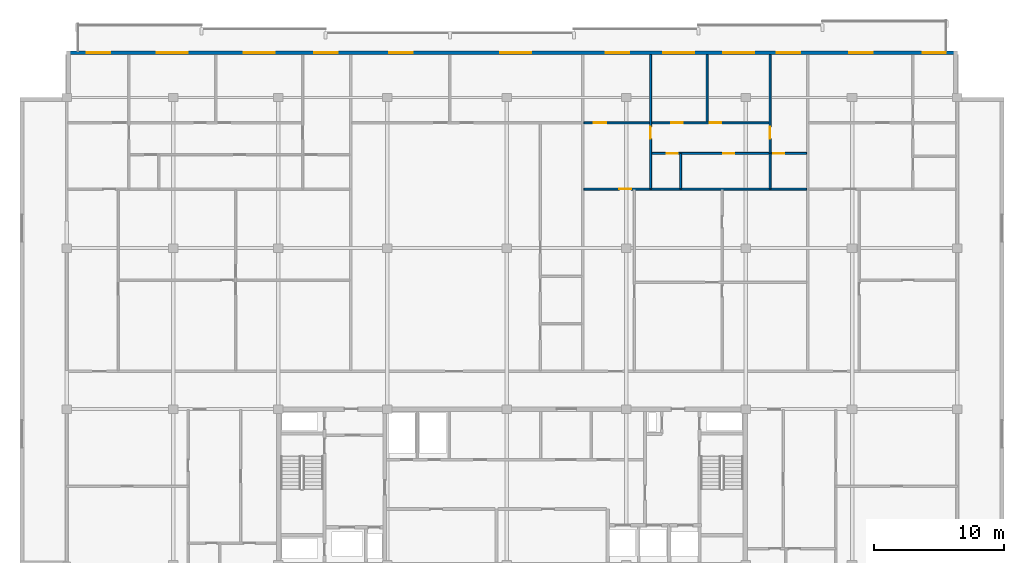
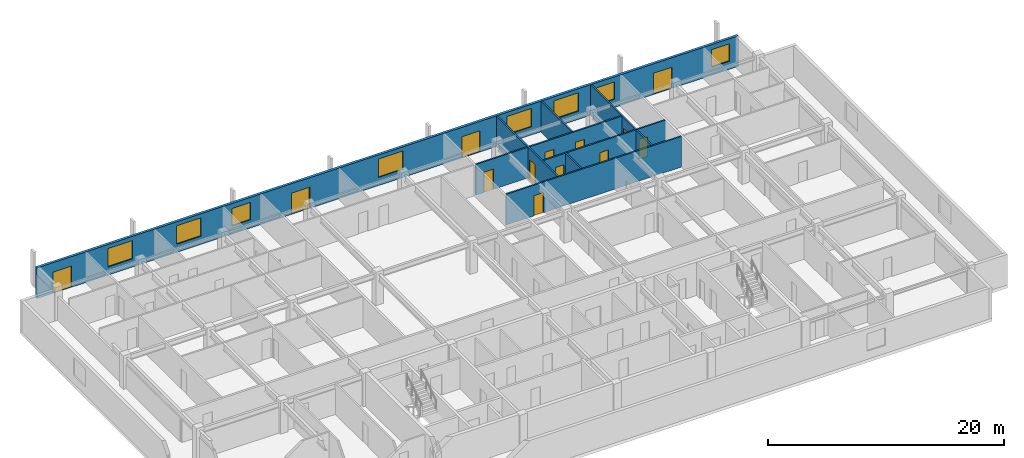
# One storey, part 7 of 10: 13 doors, 9 walls, 8 windows, 21 openings.
"""IFC4 building model written with IfcOpenShell, lengths in metres."""

from ifc_helpers import new_model, si_unit, direction, frame, frame_2d, origin, place, context, subcontext, project, spatial, rectangle, extrude, material, layer, layer_set, type_object, element, fill, save


model = new_model("IFC4")

# Units and contexts
model_context = context("Model", 3, precision=1e-05, world=origin(), true_north=direction((0.0, 1.0)))
body_context = subcontext(model_context, "Body", "Model", "MODEL_VIEW")
ifc_project = project(units=[si_unit("LENGTHUNIT", "METRE"), si_unit("AREAUNIT", "SQUARE_METRE"), si_unit("VOLUMEUNIT", "CUBIC_METRE"), si_unit("PLANEANGLEUNIT", "RADIAN"), si_unit("MASSUNIT", "GRAM", prefix="KILO")], contexts=[model_context])

# Site, building, storey
site_placement = place(None, origin())
site = spatial("IfcSite", under=ifc_project, at=site_placement, CompositionType="ELEMENT")
building_placement = place(site_placement, origin())
building = spatial("IfcBuilding", under=site, at=building_placement, Name="Korimba Cascade Residences", CompositionType="ELEMENT")
storey_placement = place(building_placement, frame((0.0, 0.0, 228.64990234375)))
storey = spatial("IfcBuildingStorey", under=building, at=storey_placement, Name="L66", CompositionType="ELEMENT", Elevation=228.64990234375)

# Wall, openings, doors, windows
ifc_material_1 = material(Name="Precast concrete C40/50", Category="concrete")
ifc_layer_1 = layer(ifc_material_1, 0.25)
ifc_layer_set_1 = layer_set([ifc_layer_1], Name="Precast concrete C40/50")
wall_type_1 = type_object("IfcWallType", Name="EW-LOG-250", PredefinedType="STANDARD", material=ifc_layer_set_1)
wall_1_placement = place(storey_placement, frame((128.39990234375, 94.64990234375, 0.0), z_axis=(0.0, 0.0, 1.0), x_axis=(-1.0, 0.0, 0.0)))
wall_1 = element("IfcWall", 1, at=wall_1_placement, inside=storey, type_object=wall_type_1, Name="L66 T1 Perimeter Stone Wall E06", PredefinedType="STANDARD", context=body_context, shape_type="SweptSolid", body=[
    extrude(rectangle(XDim=68.599853515625, YDim=0.25, at=frame_2d((34.2998046875, 0.0))), origin(), (0.0, 0.0, 1.0), 3.170166015625),
])
opening_1_placement = place(wall_1_placement, frame((59.262451171875, 0.0, 0.85009765625)))
opening_1 = element("IfcOpeningElement", 2, at=opening_1_placement, cuts=wall_1, Name="Opening W-01", PredefinedType="OPENING", context=body_context, shape_type="SweptSolid", body=[
    extrude(rectangle(XDim=2.39990234375, YDim=1.89990234375, at=frame_2d((1.199951171875, 0.949951171875))), frame((0.0, 0.135009765625, 0.0), z_axis=(0.0, -1.0, 0.0), x_axis=(1.0, 0.0, 0.0)), (0.0, 0.0, 1.0), 0.27001953125),
])
opening_2_placement = place(wall_1_placement, frame((52.5673828125, 0.0, 0.85009765625)))
opening_2 = element("IfcOpeningElement", 3, at=opening_2_placement, cuts=wall_1, Name="Opening W-01", PredefinedType="OPENING", context=body_context, shape_type="SweptSolid", body=[
    extrude(rectangle(XDim=2.39990234375, YDim=1.89990234375, at=frame_2d((1.199951171875, 0.949951171875))), frame((0.0, 0.135009765625, 0.0), z_axis=(0.0, -1.0, 0.0), x_axis=(1.0, 0.0, 0.0)), (0.0, 0.0, 1.0), 0.27001953125),
])
opening_3_placement = place(wall_1_placement, frame((65.2451171875, 0.0, 0.0)))
opening_3 = element("IfcOpeningElement", 4, at=opening_3_placement, cuts=wall_1, Name="Opening D-LG1", PredefinedType="OPENING", context=body_context, shape_type="SweptSolid", body=[
    extrude(rectangle(XDim=1.800048828125, YDim=2.199951171875, at=frame_2d((0.89990234375, 1.10009765625))), frame((0.0, 0.135009765625, 0.0), z_axis=(0.0, -1.0, 0.0), x_axis=(1.0, 0.0, 0.0)), (0.0, 0.0, 1.0), 0.27001953125),
])
opening_4_placement = place(wall_1_placement, frame((47.726318359375, 0.0, 0.85009765625)))
opening_4 = element("IfcOpeningElement", 5, at=opening_4_placement, cuts=wall_1, Name="Opening W-02", PredefinedType="OPENING", context=body_context, shape_type="SweptSolid", body=[
    extrude(rectangle(XDim=1.800048828125, YDim=1.800048828125, at=frame_2d((0.89990234375, 0.89990234375))), frame((0.0, 0.135009765625, 0.0), z_axis=(0.0, -1.0, 0.0), x_axis=(1.0, 0.0, 0.0)), (0.0, 0.0, 1.0), 0.27001953125),
])
opening_5_placement = place(wall_1_placement, frame((41.938232421875, 0.0, 0.0)))
opening_5 = element("IfcOpeningElement", 6, at=opening_5_placement, cuts=wall_1, Name="Opening D-LG1", PredefinedType="OPENING", context=body_context, shape_type="SweptSolid", body=[
    extrude(rectangle(XDim=1.800048828125, YDim=2.199951171875, at=frame_2d((0.89990234375, 1.10009765625))), frame((0.0, 0.135009765625, 0.0), z_axis=(0.0, -1.0, 0.0), x_axis=(1.0, 0.0, 0.0)), (0.0, 0.0, 1.0), 0.27001953125),
])
opening_6_placement = place(wall_1_placement, frame((32.823974609375, 0.0, 0.85009765625)))
opening_6 = element("IfcOpeningElement", 7, at=opening_6_placement, cuts=wall_1, Name="Opening W-01", PredefinedType="OPENING", context=body_context, shape_type="SweptSolid", body=[
    extrude(rectangle(XDim=2.39990234375, YDim=1.89990234375, at=frame_2d((1.199951171875, 0.949951171875))), frame((0.0, 0.135009765625, 0.0), z_axis=(0.0, -1.0, 0.0), x_axis=(1.0, 0.0, 0.0)), (0.0, 0.0, 1.0), 0.27001953125),
])
opening_7_placement = place(wall_1_placement, frame((20.2451171875, 0.0, 0.85009765625)))
opening_7 = element("IfcOpeningElement", 8, at=opening_7_placement, cuts=wall_1, Name="Opening W-01", PredefinedType="OPENING", context=body_context, shape_type="SweptSolid", body=[
    extrude(rectangle(XDim=2.39990234375, YDim=1.89990234375, at=frame_2d((1.199951171875, 0.949951171875))), frame((0.0, 0.135009765625, 0.0), z_axis=(0.0, -1.0, 0.0), x_axis=(1.0, 0.0, 0.0)), (0.0, 0.0, 1.0), 0.27001953125),
])
opening_8_placement = place(wall_1_placement, frame((15.64501953125, 0.0, 0.85009765625)))
opening_8 = element("IfcOpeningElement", 9, at=opening_8_placement, cuts=wall_1, Name="Opening W-01", PredefinedType="OPENING", context=body_context, shape_type="SweptSolid", body=[
    extrude(rectangle(XDim=2.39990234375, YDim=1.89990234375, at=frame_2d((1.199951171875, 0.949951171875))), frame((0.0, 0.135009765625, 0.0), z_axis=(0.0, -1.0, 0.0), x_axis=(1.0, 0.0, 0.0)), (0.0, 0.0, 1.0), 0.27001953125),
])
opening_9_placement = place(wall_1_placement, frame((25.272216796875, 0.0, 0.0)))
opening_9 = element("IfcOpeningElement", 10, at=opening_9_placement, cuts=wall_1, Name="Opening D-LG1", PredefinedType="OPENING", context=body_context, shape_type="SweptSolid", body=[
    extrude(rectangle(XDim=1.800048828125, YDim=2.199951171875, at=frame_2d((0.89990234375, 1.10009765625))), frame((0.0, 0.135009765625, 0.0), z_axis=(0.0, -1.0, 0.0), x_axis=(1.0, 0.0, 0.0)), (0.0, 0.0, 1.0), 0.27001953125),
])
opening_10_placement = place(wall_1_placement, frame((12.110107421875, 0.0, 0.85009765625)))
opening_10 = element("IfcOpeningElement", 11, at=opening_10_placement, cuts=wall_1, Name="Opening W-02", PredefinedType="OPENING", context=body_context, shape_type="SweptSolid", body=[
    extrude(rectangle(XDim=1.800048828125, YDim=1.800048828125, at=frame_2d((0.89990234375, 0.89990234375))), frame((0.0, 0.135009765625, 0.0), z_axis=(0.0, -1.0, 0.0), x_axis=(1.0, 0.0, 0.0)), (0.0, 0.0, 1.0), 0.27001953125),
])
opening_11_placement = place(wall_1_placement, frame((6.51513671875, 0.0, 0.0)))
opening_11 = element("IfcOpeningElement", 12, at=opening_11_placement, cuts=wall_1, Name="Opening D-LG1", PredefinedType="OPENING", context=body_context, shape_type="SweptSolid", body=[
    extrude(rectangle(XDim=1.800048828125, YDim=2.199951171875, at=frame_2d((0.89990234375, 1.10009765625))), frame((0.0, 0.135009765625, 0.0), z_axis=(0.0, -1.0, 0.0), x_axis=(1.0, 0.0, 0.0)), (0.0, 0.0, 1.0), 0.27001953125),
])
opening_12_placement = place(wall_1_placement, frame((0.8701171875, 0.0, 0.85009765625)))
opening_12 = element("IfcOpeningElement", 13, at=opening_12_placement, cuts=wall_1, Name="Opening W-02", PredefinedType="OPENING", context=body_context, shape_type="SweptSolid", body=[
    extrude(rectangle(XDim=1.800048828125, YDim=1.800048828125, at=frame_2d((0.89990234375, 0.89990234375))), frame((0.0, 0.135009765625, 0.0), z_axis=(0.0, -1.0, 0.0), x_axis=(1.0, 0.0, 0.0)), (0.0, 0.0, 1.0), 0.27001953125),
])
ifc_material_2 = material(Name="Glazed Aluminium Loggia Sliding Door", Category="aluminium")
door_type_1 = type_object("IfcDoorType", Name="DR-EXT-LOG", OperationType="NOTDEFINED", PredefinedType="DOOR", material=ifc_material_2)
door_1_placement = place(opening_3_placement, origin())
door_1 = element("IfcDoor", 14, at=door_1_placement, inside=storey, type_object=door_type_1, Name="L66 T1 Loggia Sliding Door 5", OperationType="SLIDING_TO_LEFT", OverallHeight=2.199951171875, OverallWidth=1.800048828125, PredefinedType="DOOR", context=body_context, shape_type="SweptSolid", body=[
    extrude(rectangle(XDim=1.800048828125, YDim=2.199951171875, at=frame_2d((0.89990234375, 1.10009765625))), frame((0.0, 0.02490234375, 0.0), z_axis=(0.0, -1.0, 0.0), x_axis=(1.0, 0.0, 0.0)), (0.0, 0.0, 1.0), 0.050048828125),
])
fill(opening_3, door_1)
door_2_placement = place(opening_5_placement, origin())
door_2 = element("IfcDoor", 15, at=door_2_placement, inside=storey, type_object=door_type_1, Name="L66 T1 Loggia Sliding Door 7", OperationType="SLIDING_TO_LEFT", OverallHeight=2.199951171875, OverallWidth=1.800048828125, PredefinedType="DOOR", context=body_context, shape_type="SweptSolid", body=[
    extrude(rectangle(XDim=1.800048828125, YDim=2.199951171875, at=frame_2d((0.89990234375, 1.10009765625))), frame((0.0, 0.02490234375, 0.0), z_axis=(0.0, -1.0, 0.0), x_axis=(1.0, 0.0, 0.0)), (0.0, 0.0, 1.0), 0.050048828125),
])
fill(opening_5, door_2)
door_3_placement = place(opening_9_placement, origin())
door_3 = element("IfcDoor", 16, at=door_3_placement, inside=storey, type_object=door_type_1, Name="L66 T1 Loggia Sliding Door 11", OperationType="SLIDING_TO_LEFT", OverallHeight=2.199951171875, OverallWidth=1.800048828125, PredefinedType="DOOR", context=body_context, shape_type="SweptSolid", body=[
    extrude(rectangle(XDim=1.800048828125, YDim=2.199951171875, at=frame_2d((0.89990234375, 1.10009765625))), frame((0.0, 0.02490234375, 0.0), z_axis=(0.0, -1.0, 0.0), x_axis=(1.0, 0.0, 0.0)), (0.0, 0.0, 1.0), 0.050048828125),
])
fill(opening_9, door_3)
door_4_placement = place(opening_11_placement, origin())
door_4 = element("IfcDoor", 17, at=door_4_placement, inside=storey, type_object=door_type_1, Name="L66 T1 Loggia Sliding Door 13", OperationType="SLIDING_TO_LEFT", OverallHeight=2.199951171875, OverallWidth=1.800048828125, PredefinedType="DOOR", context=body_context, shape_type="SweptSolid", body=[
    extrude(rectangle(XDim=1.800048828125, YDim=2.199951171875, at=frame_2d((0.89990234375, 1.10009765625))), frame((0.0, 0.02490234375, 0.0), z_axis=(0.0, -1.0, 0.0), x_axis=(1.0, 0.0, 0.0)), (0.0, 0.0, 1.0), 0.050048828125),
])
fill(opening_11, door_4)
ifc_material_3 = material(Name="Double-Glazed Aluminium Window", Category="aluminium")
window_type_1 = type_object("IfcWindowType", Name="WIN-BED-1800", PartitioningType="SINGLE_PANEL", PredefinedType="WINDOW", material=ifc_material_3)
window_1_placement = place(opening_4_placement, origin())
window_1 = element("IfcWindow", 18, at=window_1_placement, inside=storey, type_object=window_type_1, Name="L66 T1 North Facade Window 6", OverallHeight=1.800048828125, OverallWidth=1.800048828125, PartitioningType="SINGLE_PANEL", PredefinedType="WINDOW", context=body_context, shape_type="SweptSolid", body=[
    extrude(rectangle(XDim=1.800048828125, YDim=1.800048828125, at=frame_2d((0.89990234375, 0.89990234375))), frame((0.0, 0.030029296875, 0.0), z_axis=(0.0, -1.0, 0.0), x_axis=(1.0, 0.0, 0.0)), (0.0, 0.0, 1.0), 0.06005859375),
])
fill(opening_4, window_1)
window_2_placement = place(opening_10_placement, origin())
window_2 = element("IfcWindow", 19, at=window_2_placement, inside=storey, type_object=window_type_1, Name="L66 T1 North Facade Window 12", OverallHeight=1.800048828125, OverallWidth=1.800048828125, PartitioningType="SINGLE_PANEL", PredefinedType="WINDOW", context=body_context, shape_type="SweptSolid", body=[
    extrude(rectangle(XDim=1.800048828125, YDim=1.800048828125, at=frame_2d((0.89990234375, 0.89990234375))), frame((0.0, 0.030029296875, 0.0), z_axis=(0.0, -1.0, 0.0), x_axis=(1.0, 0.0, 0.0)), (0.0, 0.0, 1.0), 0.06005859375),
])
fill(opening_10, window_2)
window_3_placement = place(opening_12_placement, origin())
window_3 = element("IfcWindow", 20, at=window_3_placement, inside=storey, type_object=window_type_1, Name="L66 T1 North Facade Window 14", OverallHeight=1.800048828125, OverallWidth=1.800048828125, PartitioningType="SINGLE_PANEL", PredefinedType="WINDOW", context=body_context, shape_type="SweptSolid", body=[
    extrude(rectangle(XDim=1.800048828125, YDim=1.800048828125, at=frame_2d((0.89990234375, 0.89990234375))), frame((0.0, 0.030029296875, 0.0), z_axis=(0.0, -1.0, 0.0), x_axis=(1.0, 0.0, 0.0)), (0.0, 0.0, 1.0), 0.06005859375),
])
fill(opening_12, window_3)
window_type_2 = type_object("IfcWindowType", Name="WIN-RES-2400", PartitioningType="DOUBLE_PANEL_VERTICAL", PredefinedType="WINDOW", material=ifc_material_3)
window_4_placement = place(opening_1_placement, origin())
window_4 = element("IfcWindow", 21, at=window_4_placement, inside=storey, type_object=window_type_2, Name="L66 T1 North Facade Window 3", OverallHeight=1.89990234375, OverallWidth=2.39990234375, PartitioningType="DOUBLE_PANEL_VERTICAL", PredefinedType="WINDOW", context=body_context, shape_type="SweptSolid", body=[
    extrude(rectangle(XDim=2.39990234375, YDim=1.89990234375, at=frame_2d((1.199951171875, 0.949951171875))), frame((0.0, 0.030029296875, 0.0), z_axis=(0.0, -1.0, 0.0), x_axis=(1.0, 0.0, 0.0)), (0.0, 0.0, 1.0), 0.06005859375),
])
fill(opening_1, window_4)
window_5_placement = place(opening_2_placement, origin())
window_5 = element("IfcWindow", 22, at=window_5_placement, inside=storey, type_object=window_type_2, Name="L66 T1 North Facade Window 4", OverallHeight=1.89990234375, OverallWidth=2.39990234375, PartitioningType="DOUBLE_PANEL_VERTICAL", PredefinedType="WINDOW", context=body_context, shape_type="SweptSolid", body=[
    extrude(rectangle(XDim=2.39990234375, YDim=1.89990234375, at=frame_2d((1.199951171875, 0.949951171875))), frame((0.0, 0.030029296875, 0.0), z_axis=(0.0, -1.0, 0.0), x_axis=(1.0, 0.0, 0.0)), (0.0, 0.0, 1.0), 0.06005859375),
])
fill(opening_2, window_5)
window_6_placement = place(opening_6_placement, origin())
window_6 = element("IfcWindow", 23, at=window_6_placement, inside=storey, type_object=window_type_2, Name="L66 T1 North Facade Window 8", OverallHeight=1.89990234375, OverallWidth=2.39990234375, PartitioningType="DOUBLE_PANEL_VERTICAL", PredefinedType="WINDOW", context=body_context, shape_type="SweptSolid", body=[
    extrude(rectangle(XDim=2.39990234375, YDim=1.89990234375, at=frame_2d((1.199951171875, 0.949951171875))), frame((0.0, 0.030029296875, 0.0), z_axis=(0.0, -1.0, 0.0), x_axis=(1.0, 0.0, 0.0)), (0.0, 0.0, 1.0), 0.06005859375),
])
fill(opening_6, window_6)
window_7_placement = place(opening_7_placement, origin())
window_7 = element("IfcWindow", 24, at=window_7_placement, inside=storey, type_object=window_type_2, Name="L66 T1 North Facade Window 9", OverallHeight=1.89990234375, OverallWidth=2.39990234375, PartitioningType="DOUBLE_PANEL_VERTICAL", PredefinedType="WINDOW", context=body_context, shape_type="SweptSolid", body=[
    extrude(rectangle(XDim=2.39990234375, YDim=1.89990234375, at=frame_2d((1.199951171875, 0.949951171875))), frame((0.0, 0.030029296875, 0.0), z_axis=(0.0, -1.0, 0.0), x_axis=(1.0, 0.0, 0.0)), (0.0, 0.0, 1.0), 0.06005859375),
])
fill(opening_7, window_7)
window_8_placement = place(opening_8_placement, origin())
window_8 = element("IfcWindow", 25, at=window_8_placement, inside=storey, type_object=window_type_2, Name="L66 T1 North Facade Window 10", OverallHeight=1.89990234375, OverallWidth=2.39990234375, PartitioningType="DOUBLE_PANEL_VERTICAL", PredefinedType="WINDOW", context=body_context, shape_type="SweptSolid", body=[
    extrude(rectangle(XDim=2.39990234375, YDim=1.89990234375, at=frame_2d((1.199951171875, 0.949951171875))), frame((0.0, 0.030029296875, 0.0), z_axis=(0.0, -1.0, 0.0), x_axis=(1.0, 0.0, 0.0)), (0.0, 0.0, 1.0), 0.06005859375),
])
fill(opening_8, window_8)

# Walls
ifc_material_4 = material(Name="Insulated Acoustic Stud Partition", Category="gypsum")
ifc_layer_2 = layer(ifc_material_4, 0.14990234375)
ifc_layer_set_2 = layer_set([ifc_layer_2], Name="Insulated Acoustic Stud Partition")
wall_type_2 = type_object("IfcWallType", Name="WAL-PART-150", PredefinedType="PARTITIONING", material=ifc_layer_set_2)
wall_2_placement = place(storey_placement, frame((107.090087890625, 84.18994140625, 0.0), z_axis=(0.0, 0.0, 1.0), x_axis=(0.0, 1.0, 0.0)))
element("IfcWall", 26, at=wall_2_placement, inside=storey, type_object=wall_type_2, Name="L66 Partition Wall WAL-L66-T1-U03-VDRS", PredefinedType="PARTITIONING", context=body_context, shape_type="SweptSolid", body=[
    extrude(rectangle(XDim=2.68994140625, YDim=0.14990234375, at=frame_2d((1.344970703125, 0.0))), origin(), (0.0, 0.0, 1.0), 3.170166015625),
])
wall_3_placement = place(storey_placement, frame((109.1298828125, 89.330078125, 0.0), z_axis=(0.0, 0.0, 1.0), x_axis=(0.0, 1.0, 0.0)))
element("IfcWall", 27, at=wall_3_placement, inside=storey, type_object=wall_type_2, Name="L66 Partition Wall WAL-L66-T1-U03-VSTD", PredefinedType="PARTITIONING", context=body_context, shape_type="SweptSolid", body=[
    extrude(rectangle(XDim=5.169921875, YDim=0.14990234375, at=frame_2d((2.5849609375, 0.0))), origin(), (0.0, 0.0, 1.0), 3.170166015625),
])

# Wall, opening, door
wall_4_placement = place(storey_placement, frame((104.780029296875, 84.18994140625, 0.0), z_axis=(0.0, 0.0, 1.0), x_axis=(0.0, 1.0, 0.0)))
wall_4 = element("IfcWall", 28, at=wall_4_placement, inside=storey, type_object=wall_type_2, Name="L66 Partition Wall WAL-L66-T1-U03-V1", PredefinedType="PARTITIONING", context=body_context, shape_type="SweptSolid", body=[
    extrude(rectangle(XDim=10.31005859375, YDim=0.14990234375, at=frame_2d((5.155029296875, 0.0))), origin(), (0.0, 0.0, 1.0), 3.170166015625),
])
opening_13_placement = place(wall_4_placement, frame((3.820068359375, 0.0, 0.0)))
opening_13 = element("IfcOpeningElement", 29, at=opening_13_placement, cuts=wall_4, Name="Opening D-IN1", PredefinedType="OPENING", context=body_context, shape_type="SweptSolid", body=[
    extrude(rectangle(XDim=0.919921875, YDim=2.080078125, at=frame_2d((0.4599609375, 1.0400390625))), frame((0.0, 0.0849609375, 0.0), z_axis=(0.0, -1.0, 0.0), x_axis=(1.0, 0.0, 0.0)), (0.0, 0.0, 1.0), 0.169921875),
])
ifc_material_5 = material(Name="Acoustic Timber Living Door", Category="wood")
door_type_2 = type_object("IfcDoorType", Name="DR-INT-920", OperationType="NOTDEFINED", PredefinedType="DOOR", material=ifc_material_5)
door_5_placement = place(opening_13_placement, origin())
door_5 = element("IfcDoor", 30, at=door_5_placement, inside=storey, type_object=door_type_2, Name="L66-T1-U03 Hallway Door", OperationType="SINGLE_SWING_LEFT", OverallHeight=2.080078125, OverallWidth=0.919921875, PredefinedType="DOOR", context=body_context, shape_type="SweptSolid", body=[
    extrude(rectangle(XDim=0.919921875, YDim=2.080078125, at=frame_2d((0.4599609375, 1.0400390625))), frame((0.0, 0.02490234375, 0.0), z_axis=(0.0, -1.0, 0.0), x_axis=(1.0, 0.0, 0.0)), (0.0, 0.0, 1.0), 0.050048828125),
])
fill(opening_13, door_5)

# Wall
wall_5_placement = place(storey_placement, frame((113.97998046875, 84.18994140625, 0.0), z_axis=(0.0, 0.0, 1.0), x_axis=(0.0, 1.0, 0.0)))
element("IfcWall", 31, at=wall_5_placement, inside=storey, type_object=wall_type_2, Name="L66 Partition Wall WAL-L66-T1-U03-VBATH", PredefinedType="PARTITIONING", context=body_context, shape_type="SweptSolid", body=[
    extrude(rectangle(XDim=2.68994140625, YDim=0.14990234375, at=frame_2d((1.344970703125, 0.0))), origin(), (0.0, 0.0, 1.0), 3.170166015625),
])

# Wall, opening, door
wall_6_placement = place(storey_placement, frame((113.97998046875, 86.919921875, 0.0), z_axis=(0.0, 0.0, 1.0), x_axis=(0.0, 1.0, 0.0)))
wall_6 = element("IfcWall", 32, at=wall_6_placement, inside=storey, type_object=wall_type_2, Name="L66 Partition Wall WAL-L66-T1-U03-V2FULL", PredefinedType="PARTITIONING", context=body_context, shape_type="SweptSolid", body=[
    extrude(rectangle(XDim=7.580078125, YDim=0.14990234375, at=frame_2d((3.7900390625, 0.0))), origin(), (0.0, 0.0, 1.0), 3.170166015625),
])
opening_14_placement = place(wall_6_placement, frame((1.090087890625, 0.0, 0.0)))
opening_14 = element("IfcOpeningElement", 33, at=opening_14_placement, cuts=wall_6, Name="Opening D-IN1", PredefinedType="OPENING", context=body_context, shape_type="SweptSolid", body=[
    extrude(rectangle(XDim=0.919921875, YDim=2.080078125, at=frame_2d((0.4599609375, 1.0400390625))), frame((0.0, 0.0849609375, 0.0), z_axis=(0.0, -1.0, 0.0), x_axis=(1.0, 0.0, 0.0)), (0.0, 0.0, 1.0), 0.169921875),
])
door_6_placement = place(opening_14_placement, origin())
door_6 = element("IfcDoor", 34, at=door_6_placement, inside=storey, type_object=door_type_2, Name="L66-T1-U03 Master Bedroom Door", OperationType="SINGLE_SWING_RIGHT", OverallHeight=2.080078125, OverallWidth=0.919921875, PredefinedType="DOOR", context=body_context, shape_type="SweptSolid", body=[
    extrude(rectangle(XDim=0.919921875, YDim=2.080078125, at=frame_2d((0.4599609375, 1.0400390625))), frame((0.0, 0.02490234375, 0.0), z_axis=(0.0, -1.0, 0.0), x_axis=(1.0, 0.0, 0.0)), (0.0, 0.0, 1.0), 0.050048828125),
])
fill(opening_14, door_6)

# Wall, openings, doors
wall_7_placement = place(storey_placement, frame((104.820068359375, 86.89990234375, 0.0), z_axis=(0.0, 0.0, 1.0), x_axis=(1.0, 0.0, 0.0)))
wall_7 = element("IfcWall", 35, at=wall_7_placement, inside=storey, type_object=wall_type_2, Name="L66 Partition Wall WAL-L66-T1-U03-HWALL", PredefinedType="PARTITIONING", context=body_context, shape_type="SweptSolid", body=[
    extrude(rectangle(XDim=11.969482421875, YDim=0.14990234375, at=frame_2d((5.98486328125, 0.0))), origin(), (0.0, 0.0, 1.0), 3.170166015625),
])
opening_15_placement = place(wall_7_placement, frame((1.2099609375, 0.0, 0.0)))
opening_15 = element("IfcOpeningElement", 36, at=opening_15_placement, cuts=wall_7, Name="Opening D-BT1", PredefinedType="OPENING", context=body_context, shape_type="SweptSolid", body=[
    extrude(rectangle(XDim=0.840087890625, YDim=2.0400390625, at=frame_2d((0.419921875, 1.02001953125))), frame((0.0, 0.0849609375, 0.0), z_axis=(0.0, -1.0, 0.0), x_axis=(1.0, 0.0, 0.0)), (0.0, 0.0, 1.0), 0.169921875),
])
opening_16_placement = place(wall_7_placement, frame((5.564697265625, 0.0, 0.0)))
opening_16 = element("IfcOpeningElement", 37, at=opening_16_placement, cuts=wall_7, Name="Opening D-BT1", PredefinedType="OPENING", context=body_context, shape_type="SweptSolid", body=[
    extrude(rectangle(XDim=0.840087890625, YDim=2.0400390625, at=frame_2d((0.419921875, 1.02001953125))), frame((0.0, 0.0849609375, 0.0), z_axis=(0.0, -1.0, 0.0), x_axis=(1.0, 0.0, 0.0)), (0.0, 0.0, 1.0), 0.169921875),
])
opening_17_placement = place(wall_7_placement, frame((9.409912109375, 0.0, 0.0)))
opening_17 = element("IfcOpeningElement", 38, at=opening_17_placement, cuts=wall_7, Name="Opening D-BT1", PredefinedType="OPENING", context=body_context, shape_type="SweptSolid", body=[
    extrude(rectangle(XDim=0.840087890625, YDim=2.0400390625, at=frame_2d((0.419921875, 1.02001953125))), frame((0.0, 0.0849609375, 0.0), z_axis=(0.0, -1.0, 0.0), x_axis=(1.0, 0.0, 0.0)), (0.0, 0.0, 1.0), 0.169921875),
])
ifc_material_6 = material(Name="Moisture-Resistant Bathroom Timber Door", Category="wood")
door_type_3 = type_object("IfcDoorType", Name="DR-INT-850", OperationType="NOTDEFINED", PredefinedType="DOOR", material=ifc_material_6)
door_7_placement = place(opening_15_placement, origin())
door_7 = element("IfcDoor", 39, at=door_7_placement, inside=storey, type_object=door_type_3, Name="L66-T1-U03 Family Bathroom Door", OperationType="SINGLE_SWING_LEFT", OverallHeight=2.0400390625, OverallWidth=0.840087890625, PredefinedType="DOOR", context=body_context, shape_type="SweptSolid", body=[
    extrude(rectangle(XDim=0.840087890625, YDim=2.0400390625, at=frame_2d((0.419921875, 1.02001953125))), frame((0.0, 0.02490234375, 0.0), z_axis=(0.0, -1.0, 0.0), x_axis=(1.0, 0.0, 0.0)), (0.0, 0.0, 1.0), 0.050048828125),
])
fill(opening_15, door_7)
door_8_placement = place(opening_16_placement, origin())
door_8 = element("IfcDoor", 40, at=door_8_placement, inside=storey, type_object=door_type_3, Name="L66-T1-U03 Dressing Room Door", OperationType="SINGLE_SWING_RIGHT", OverallHeight=2.0400390625, OverallWidth=0.840087890625, PredefinedType="DOOR", context=body_context, shape_type="SweptSolid", body=[
    extrude(rectangle(XDim=0.840087890625, YDim=2.0400390625, at=frame_2d((0.419921875, 1.02001953125))), frame((0.0, 0.02490234375, 0.0), z_axis=(0.0, -1.0, 0.0), x_axis=(1.0, 0.0, 0.0)), (0.0, 0.0, 1.0), 0.050048828125),
])
fill(opening_16, door_8)
door_9_placement = place(opening_17_placement, origin())
door_9 = element("IfcDoor", 41, at=door_9_placement, inside=storey, type_object=door_type_3, Name="L66-T1-U03 En-Suite Door", OperationType="SINGLE_SWING_LEFT", OverallHeight=2.0400390625, OverallWidth=0.840087890625, PredefinedType="DOOR", context=body_context, shape_type="SweptSolid", body=[
    extrude(rectangle(XDim=0.840087890625, YDim=2.0400390625, at=frame_2d((0.419921875, 1.02001953125))), frame((0.0, 0.02490234375, 0.0), z_axis=(0.0, -1.0, 0.0), x_axis=(1.0, 0.0, 0.0)), (0.0, 0.0, 1.0), 0.050048828125),
])
fill(opening_17, door_9)

# Wall, opening, door
wall_8_placement = place(storey_placement, frame((99.635498046875, 84.14990234375, 0.0), z_axis=(0.0, 0.0, 1.0), x_axis=(1.0, 0.0, 0.0)))
wall_8 = element("IfcWall", 42, at=wall_8_placement, inside=storey, type_object=wall_type_2, Name="L66 Partition Wall WAL-L66-T1-U03-MW", PredefinedType="PARTITIONING", context=body_context, shape_type="SweptSolid", body=[
    extrude(rectangle(XDim=17.154052734375, YDim=0.14990234375, at=frame_2d((8.5771484375, 0.0))), origin(), (0.0, 0.0, 1.0), 3.170166015625),
])
opening_18_placement = place(wall_8_placement, frame((2.719970703125, 0.0, 0.0)))
opening_18 = element("IfcOpeningElement", 43, at=opening_18_placement, cuts=wall_8, Name="Opening D-IN1", PredefinedType="OPENING", context=body_context, shape_type="SweptSolid", body=[
    extrude(rectangle(XDim=0.919921875, YDim=2.080078125, at=frame_2d((0.4599609375, 1.0400390625))), frame((0.0, 0.0849609375, 0.0), z_axis=(0.0, -1.0, 0.0), x_axis=(1.0, 0.0, 0.0)), (0.0, 0.0, 1.0), 0.169921875),
])
door_10_placement = place(opening_18_placement, origin())
door_10 = element("IfcDoor", 44, at=door_10_placement, inside=storey, type_object=door_type_2, Name="L66-T1-U03 Kitchen Door", OperationType="SINGLE_SWING_RIGHT", OverallHeight=2.080078125, OverallWidth=0.919921875, PredefinedType="DOOR", context=body_context, shape_type="SweptSolid", body=[
    extrude(rectangle(XDim=0.919921875, YDim=2.080078125, at=frame_2d((0.4599609375, 1.0400390625))), frame((0.0, 0.02490234375, 0.0), z_axis=(0.0, -1.0, 0.0), x_axis=(1.0, 0.0, 0.0)), (0.0, 0.0, 1.0), 0.050048828125),
])
fill(opening_18, door_10)

# Wall, openings, doors
wall_9_placement = place(storey_placement, frame((99.635498046875, 89.25, 0.0), z_axis=(0.0, 0.0, 1.0), x_axis=(1.0, 0.0, 0.0)))
wall_9 = element("IfcWall", 45, at=wall_9_placement, inside=storey, type_object=wall_type_2, Name="L66 Partition Wall WAL-L66-T1-U03-HZ", PredefinedType="PARTITIONING", context=body_context, shape_type="SweptSolid", body=[
    extrude(rectangle(XDim=14.344482421875, YDim=0.14990234375, at=frame_2d((7.17236328125, 0.0))), origin(), (0.0, 0.0, 1.0), 3.170166015625),
])
opening_19_placement = place(wall_9_placement, frame((0.7685546875, 0.0, 0.0)))
opening_19 = element("IfcOpeningElement", 46, at=opening_19_placement, cuts=wall_9, Name="Opening D-IN0", PredefinedType="OPENING", context=body_context, shape_type="SweptSolid", body=[
    extrude(rectangle(XDim=0.93994140625, YDim=2.10009765625, at=frame_2d((0.469970703125, 1.050048828125))), frame((0.0, 0.0849609375, 0.0), z_axis=(0.0, -1.0, 0.0), x_axis=(1.0, 0.0, 0.0)), (0.0, 0.0, 1.0), 0.169921875),
])
opening_20_placement = place(wall_9_placement, frame((6.732177734375, 0.0, 0.0)))
opening_20 = element("IfcOpeningElement", 47, at=opening_20_placement, cuts=wall_9, Name="Opening D-IN2", PredefinedType="OPENING", context=body_context, shape_type="SweptSolid", body=[
    extrude(rectangle(XDim=0.8798828125, YDim=2.06005859375, at=frame_2d((0.43994140625, 1.030029296875))), frame((0.0, 0.0849609375, 0.0), z_axis=(0.0, -1.0, 0.0), x_axis=(1.0, 0.0, 0.0)), (0.0, 0.0, 1.0), 0.169921875),
])
opening_21_placement = place(wall_9_placement, frame((9.71435546875, 0.0, 0.0)))
opening_21 = element("IfcOpeningElement", 48, at=opening_21_placement, cuts=wall_9, Name="Opening D-IN2", PredefinedType="OPENING", context=body_context, shape_type="SweptSolid", body=[
    extrude(rectangle(XDim=0.8798828125, YDim=2.06005859375, at=frame_2d((0.43994140625, 1.030029296875))), frame((0.0, 0.0849609375, 0.0), z_axis=(0.0, -1.0, 0.0), x_axis=(1.0, 0.0, 0.0)), (0.0, 0.0, 1.0), 0.169921875),
])
ifc_material_7 = material(Name="Acoustic Timber Bedroom Door", Category="wood")
door_type_4 = type_object("IfcDoorType", Name="DR-INT-880", OperationType="NOTDEFINED", PredefinedType="DOOR", material=ifc_material_7)
door_11_placement = place(opening_20_placement, origin())
door_11 = element("IfcDoor", 49, at=door_11_placement, inside=storey, type_object=door_type_4, Name="L66-T1-U03 Bedroom 2 Door", OperationType="SINGLE_SWING_RIGHT", OverallHeight=2.06005859375, OverallWidth=0.8798828125, PredefinedType="DOOR", context=body_context, shape_type="SweptSolid", body=[
    extrude(rectangle(XDim=0.8798828125, YDim=2.06005859375, at=frame_2d((0.43994140625, 1.030029296875))), frame((0.0, 0.02490234375, 0.0), z_axis=(0.0, -1.0, 0.0), x_axis=(1.0, 0.0, 0.0)), (0.0, 0.0, 1.0), 0.050048828125),
])
fill(opening_20, door_11)
door_12_placement = place(opening_21_placement, origin())
door_12 = element("IfcDoor", 50, at=door_12_placement, inside=storey, type_object=door_type_4, Name="L66-T1-U03 Study Door", OperationType="SINGLE_SWING_LEFT", OverallHeight=2.06005859375, OverallWidth=0.8798828125, PredefinedType="DOOR", context=body_context, shape_type="SweptSolid", body=[
    extrude(rectangle(XDim=0.8798828125, YDim=2.06005859375, at=frame_2d((0.43994140625, 1.030029296875))), frame((0.0, 0.02490234375, 0.0), z_axis=(0.0, -1.0, 0.0), x_axis=(1.0, 0.0, 0.0)), (0.0, 0.0, 1.0), 0.050048828125),
])
fill(opening_21, door_12)
ifc_material_8 = material(Name="Acoustic Timber Living Archway Door", Category="wood")
door_type_5 = type_object("IfcDoorType", Name="DR-INT-950", OperationType="NOTDEFINED", PredefinedType="DOOR", material=ifc_material_8)
door_13_placement = place(opening_19_placement, origin())
door_13 = element("IfcDoor", 51, at=door_13_placement, inside=storey, type_object=door_type_5, Name="L66-T1-U03 Living Room Door", OperationType="SINGLE_SWING_LEFT", OverallHeight=2.10009765625, OverallWidth=0.93994140625, PredefinedType="DOOR", context=body_context, shape_type="SweptSolid", body=[
    extrude(rectangle(XDim=0.93994140625, YDim=2.10009765625, at=frame_2d((0.469970703125, 1.050048828125))), frame((0.0, 0.02490234375, 0.0), z_axis=(0.0, -1.0, 0.0), x_axis=(1.0, 0.0, 0.0)), (0.0, 0.0, 1.0), 0.050048828125),
])
fill(opening_19, door_13)

save(model, "model.ifc")
